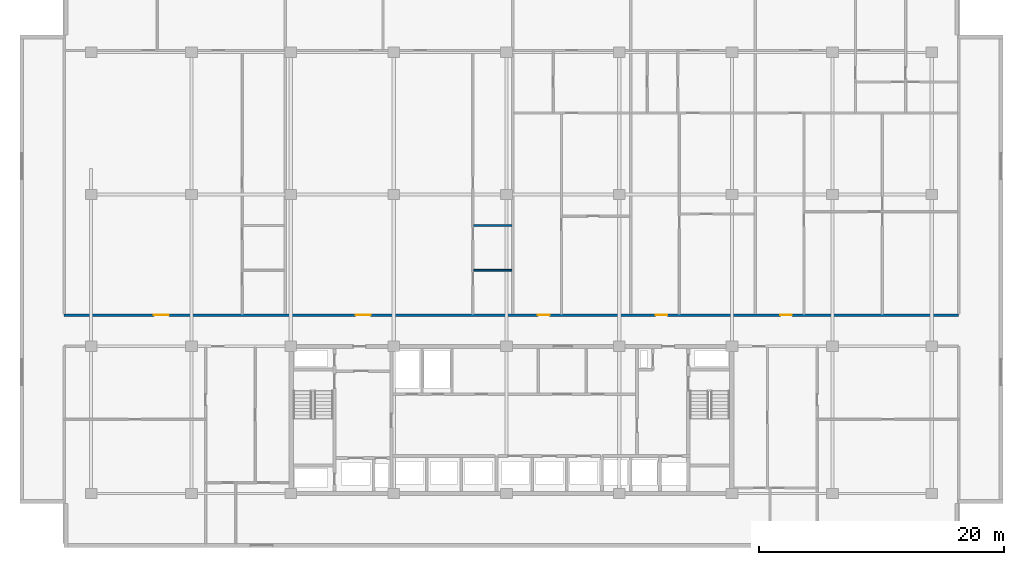
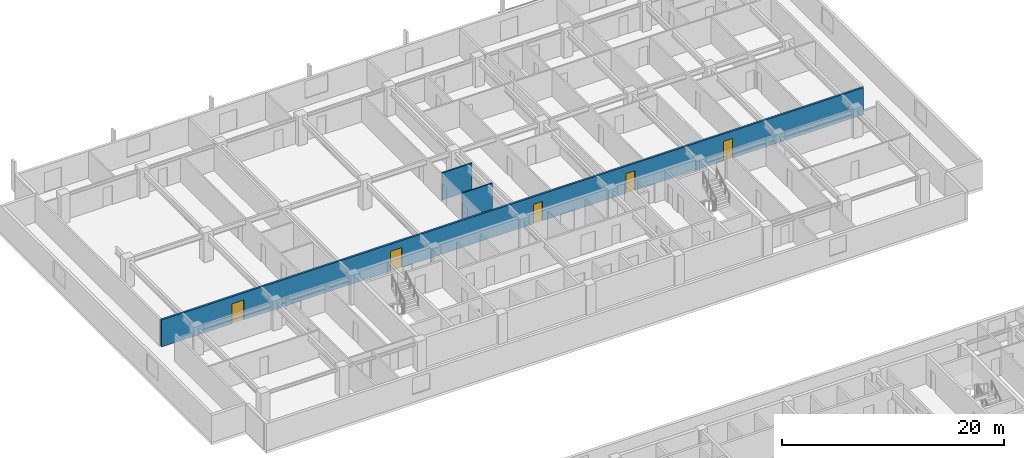
# One storey, part 12 of 21: 5 doors, 3 walls, 5 openings.
"""IFC4 building model written with IfcOpenShell, lengths in metres."""

from ifc_helpers import new_model, si_unit, direction, frame, frame_2d, origin, place, context, subcontext, project, spatial, rectangle, extrude, material, layer, layer_set, type_object, element, fill, save


model = new_model("IFC4")

# Units and contexts
model_context = context("Model", 3, precision=1e-05, world=origin(), true_north=direction((0.0, 1.0)))
body_context = subcontext(model_context, "Body", "Model", "MODEL_VIEW")
ifc_project = project(units=[si_unit("LENGTHUNIT", "METRE"), si_unit("AREAUNIT", "SQUARE_METRE"), si_unit("VOLUMEUNIT", "CUBIC_METRE"), si_unit("PLANEANGLEUNIT", "RADIAN"), si_unit("MASSUNIT", "GRAM", prefix="KILO")], contexts=[model_context])

# Site, building, storey
site_placement = place(None, origin())
site = spatial("IfcSite", under=ifc_project, at=site_placement, CompositionType="ELEMENT")
building_placement = place(site_placement, origin())
building = spatial("IfcBuilding", under=site, at=building_placement, Name="Korimba Cascade Residences", CompositionType="ELEMENT")
storey_placement = place(building_placement, frame((0.0, 0.0, 97.050048828125)))
storey = spatial("IfcBuildingStorey", under=building, at=storey_placement, Name="L27", CompositionType="ELEMENT", Elevation=97.050048828125)

# Wall, openings, doors
ifc_material_1 = material(Name="Precast concrete C40/50", Category="concrete")
ifc_layer_1 = layer(ifc_material_1, 0.199951171875)
ifc_layer_set_1 = layer_set([ifc_layer_1], Name="Precast concrete C40/50")
wall_type_1 = type_object("IfcWallType", Name="WAL-IT-200", PredefinedType="PARTITIONING", material=ifc_layer_set_1)
wall_placement = place(storey_placement, frame((57.60009765625, 69.75, 0.0), z_axis=(0.0, 0.0, 1.0), x_axis=(1.0, 0.0, 0.0)))
wall = element("IfcWall", 1, at=wall_placement, inside=storey, type_object=wall_type_1, Name="L27 Partition Wall WAL-L27-T1-CORN", PredefinedType="PARTITIONING", context=body_context, shape_type="SweptSolid", body=[
    extrude(rectangle(XDim=73.0, YDim=0.199951171875, at=frame_2d((36.5, 0.0))), origin(), (0.0, 0.0, 1.0), 2.969970703125),
])
opening_1_placement = place(wall_placement, frame((7.326171875, 0.0, 0.0)))
opening_1 = element("IfcOpeningElement", 2, at=opening_1_placement, cuts=wall, Name="Opening D-AM1", PredefinedType="OPENING", context=body_context, shape_type="SweptSolid", body=[
    extrude(rectangle(XDim=1.219970703125, YDim=2.179931640625, at=frame_2d((0.60986328125, 1.08984375))), frame((0.0, 0.10986328125, 0.0), z_axis=(0.0, -1.0, 0.0), x_axis=(1.0, 0.0, 0.0)), (0.0, 0.0, 1.0), 0.219970703125),
])
opening_2_placement = place(wall_placement, frame((23.79541015625, 0.0, 0.0)))
opening_2 = element("IfcOpeningElement", 3, at=opening_2_placement, cuts=wall, Name="Opening D-AM1", PredefinedType="OPENING", context=body_context, shape_type="SweptSolid", body=[
    extrude(rectangle(XDim=1.219970703125, YDim=2.179931640625, at=frame_2d((0.60986328125, 1.08984375))), frame((0.0, 0.10986328125, 0.0), z_axis=(0.0, -1.0, 0.0), x_axis=(1.0, 0.0, 0.0)), (0.0, 0.0, 1.0), 0.219970703125),
])
opening_3_placement = place(wall_placement, frame((38.669921875, 0.0, 0.0)))
opening_3 = element("IfcOpeningElement", 4, at=opening_3_placement, cuts=wall, Name="Opening D-UN1", PredefinedType="OPENING", context=body_context, shape_type="SweptSolid", body=[
    extrude(rectangle(XDim=0.949951171875, YDim=2.14990234375, at=frame_2d((0.47509765625, 1.074951171875))), frame((0.0, 0.10986328125, 0.0), z_axis=(0.0, -1.0, 0.0), x_axis=(1.0, 0.0, 0.0)), (0.0, 0.0, 1.0), 0.219970703125),
])
opening_4_placement = place(wall_placement, frame((48.279052734375, 0.0, 0.0)))
opening_4 = element("IfcOpeningElement", 5, at=opening_4_placement, cuts=wall, Name="Opening D-UN1", PredefinedType="OPENING", context=body_context, shape_type="SweptSolid", body=[
    extrude(rectangle(XDim=0.949951171875, YDim=2.14990234375, at=frame_2d((0.47509765625, 1.074951171875))), frame((0.0, 0.10986328125, 0.0), z_axis=(0.0, -1.0, 0.0), x_axis=(1.0, 0.0, 0.0)), (0.0, 0.0, 1.0), 0.219970703125),
])
opening_5_placement = place(wall_placement, frame((58.448974609375, 0.0, 0.0)))
opening_5 = element("IfcOpeningElement", 6, at=opening_5_placement, cuts=wall, Name="Opening D-UN1", PredefinedType="OPENING", context=body_context, shape_type="SweptSolid", body=[
    extrude(rectangle(XDim=0.949951171875, YDim=2.14990234375, at=frame_2d((0.47509765625, 1.074951171875))), frame((0.0, 0.10986328125, 0.0), z_axis=(0.0, -1.0, 0.0), x_axis=(1.0, 0.0, 0.0)), (0.0, 0.0, 1.0), 0.219970703125),
])
ifc_material_2 = material(Name="Fire-Rated Glazed Timber Suite Door", Category="wood")
door_type_1 = type_object("IfcDoorType", Name="DR-FD60-1200", OperationType="NOTDEFINED", PredefinedType="DOOR", material=ifc_material_2)
door_1_placement = place(opening_1_placement, origin())
door_1 = element("IfcDoor", 7, at=door_1_placement, inside=storey, type_object=door_type_1, Name="L27-T1-U01 Business Collaboration Office Door", OperationType="SINGLE_SWING_RIGHT", OverallHeight=2.179931640625, OverallWidth=1.219970703125, PredefinedType="DOOR", context=body_context, shape_type="SweptSolid", body=[
    extrude(rectangle(XDim=1.219970703125, YDim=2.179931640625, at=frame_2d((0.60986328125, 1.08984375))), frame((0.0, 0.02490234375, 0.0), z_axis=(0.0, -1.0, 0.0), x_axis=(1.0, 0.0, 0.0)), (0.0, 0.0, 1.0), 0.050048828125),
])
fill(opening_1, door_1)
door_2_placement = place(opening_2_placement, origin())
door_2 = element("IfcDoor", 8, at=door_2_placement, inside=storey, type_object=door_type_1, Name="L27-T1-U02 Resident Conference Room Door", OperationType="SINGLE_SWING_LEFT", OverallHeight=2.179931640625, OverallWidth=1.219970703125, PredefinedType="DOOR", context=body_context, shape_type="SweptSolid", body=[
    extrude(rectangle(XDim=1.219970703125, YDim=2.179931640625, at=frame_2d((0.60986328125, 1.08984375))), frame((0.0, 0.02490234375, 0.0), z_axis=(0.0, -1.0, 0.0), x_axis=(1.0, 0.0, 0.0)), (0.0, 0.0, 1.0), 0.050048828125),
])
fill(opening_2, door_2)
ifc_material_3 = material(Name="Fire-Rated Hardwood Apartment Entrance Door", Category="wood")
door_type_2 = type_object("IfcDoorType", Name="DR-FD60-950", OperationType="NOTDEFINED", PredefinedType="DOOR", material=ifc_material_3)
door_3_placement = place(opening_3_placement, origin())
door_3 = element("IfcDoor", 9, at=door_3_placement, inside=storey, type_object=door_type_2, Name="Unit L27-T1-U03 Entrance Door", OperationType="SINGLE_SWING_RIGHT", OverallHeight=2.14990234375, OverallWidth=0.949951171875, PredefinedType="DOOR", context=body_context, shape_type="SweptSolid", body=[
    extrude(rectangle(XDim=0.949951171875, YDim=2.14990234375, at=frame_2d((0.47509765625, 1.074951171875))), frame((0.0, 0.02490234375, 0.0), z_axis=(0.0, -1.0, 0.0), x_axis=(1.0, 0.0, 0.0)), (0.0, 0.0, 1.0), 0.050048828125),
])
fill(opening_3, door_3)
door_4_placement = place(opening_4_placement, origin())
door_4 = element("IfcDoor", 10, at=door_4_placement, inside=storey, type_object=door_type_2, Name="Unit L27-T1-U04 Entrance Door", OperationType="SINGLE_SWING_LEFT", OverallHeight=2.14990234375, OverallWidth=0.949951171875, PredefinedType="DOOR", context=body_context, shape_type="SweptSolid", body=[
    extrude(rectangle(XDim=0.949951171875, YDim=2.14990234375, at=frame_2d((0.47509765625, 1.074951171875))), frame((0.0, 0.02490234375, 0.0), z_axis=(0.0, -1.0, 0.0), x_axis=(1.0, 0.0, 0.0)), (0.0, 0.0, 1.0), 0.050048828125),
])
fill(opening_4, door_4)
door_5_placement = place(opening_5_placement, origin())
door_5 = element("IfcDoor", 11, at=door_5_placement, inside=storey, type_object=door_type_2, Name="Unit L27-T1-U05 Entrance Door", OperationType="SINGLE_SWING_RIGHT", OverallHeight=2.14990234375, OverallWidth=0.949951171875, PredefinedType="DOOR", context=body_context, shape_type="SweptSolid", body=[
    extrude(rectangle(XDim=0.949951171875, YDim=2.14990234375, at=frame_2d((0.47509765625, 1.074951171875))), frame((0.0, 0.02490234375, 0.0), z_axis=(0.0, -1.0, 0.0), x_axis=(1.0, 0.0, 0.0)), (0.0, 0.0, 1.0), 0.050048828125),
])
fill(opening_5, door_5)

# Walls
ifc_material_4 = material(Name="Insulated Acoustic Stud Partition", Category="gypsum")
ifc_layer_2 = layer(ifc_material_4, 0.14990234375)
ifc_layer_set_2 = layer_set([ifc_layer_2], Name="Insulated Acoustic Stud Partition")
wall_type_2 = type_object("IfcWallType", Name="WAL-PART-150", PredefinedType="PARTITIONING", material=ifc_layer_set_2)
for number, where, z_axis, x_axis, name in (
    (12, (91.014892578125, 73.419921875, 0.0), (0.0, 0.0, 1.0), (1.0, 0.0, 0.0), "L27 Partition Wall WAL-L27-T1-U02-WCH"),
    (13, (91.014892578125, 77.070068359375, 0.0), (0.0, 0.0, 1.0), (1.0, 0.0, 0.0), "L27 Partition Wall WAL-L27-T1-U02-WCH2"),
):
    element("IfcWall", number, at=place(storey_placement, frame(where, z_axis=z_axis, x_axis=x_axis)), inside=storey, type_object=wall_type_2, Name=name, PredefinedType="PARTITIONING", context=body_context, shape_type="SweptSolid", body=[
        extrude(rectangle(XDim=3.130126953125, YDim=0.14990234375, at=frame_2d((1.56494140625, 0.0))), origin(), (0.0, 0.0, 1.0), 2.969970703125),
    ])

save(model, "model.ifc")
